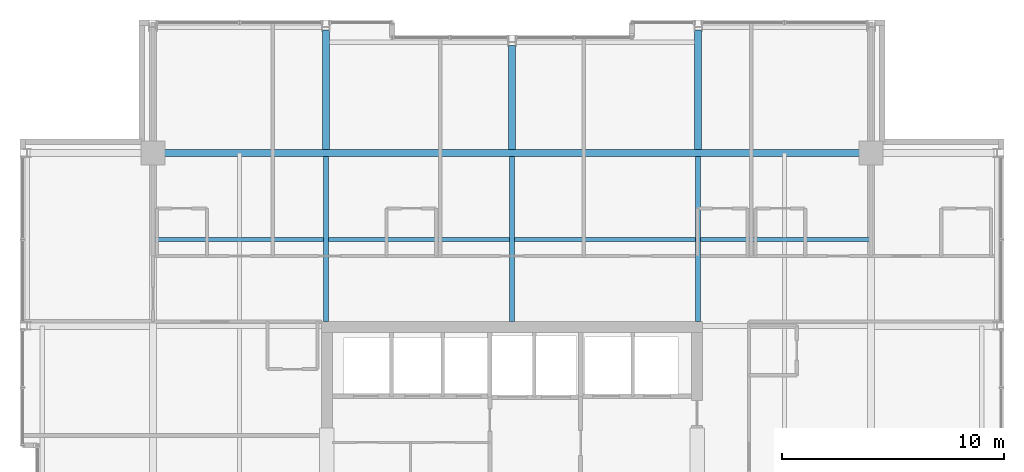
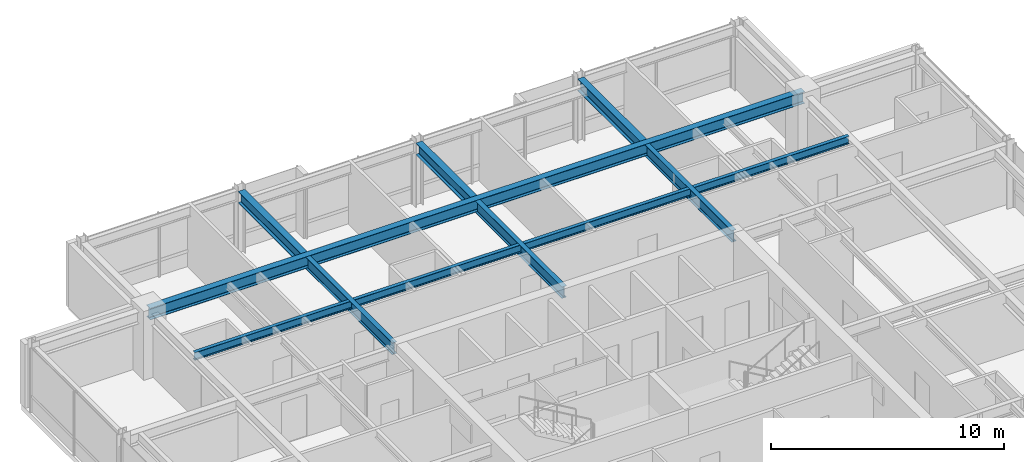
# One storey, part 19 of 32: 8 beams.
"""IFC4 building model written with IfcOpenShell, lengths in metres."""

from ifc_helpers import new_model, si_unit, direction, frame, origin, origin_2d, place, context, subcontext, project, spatial, i_section, extrude, material, material_profile, profile_set, type_object, element, save


model = new_model("IFC4")

# Units and contexts
model_context = context("Model", 3, precision=1e-05, world=origin(), true_north=direction((0.0, 1.0)))
body_context = subcontext(model_context, "Body", "Model", "MODEL_VIEW")
ifc_project = project(units=[si_unit("LENGTHUNIT", "METRE"), si_unit("AREAUNIT", "SQUARE_METRE"), si_unit("VOLUMEUNIT", "CUBIC_METRE"), si_unit("PLANEANGLEUNIT", "RADIAN"), si_unit("MASSUNIT", "GRAM", prefix="KILO")], contexts=[model_context])

# Site, building, storey
site_placement = place(None, origin())
site = spatial("IfcSite", under=ifc_project, at=site_placement, CompositionType="ELEMENT")
building_placement = place(site_placement, origin())
building = spatial("IfcBuilding", under=site, at=building_placement, Name="Drelvath Grand Hotel", CompositionType="ELEMENT")
storey_placement = place(building_placement, frame((0.0, 0.0, 241.10009765625)))
storey = spatial("IfcBuildingStorey", under=building, at=storey_placement, Name="L63", CompositionType="ELEMENT", Elevation=241.10009765625)

# Beams
ifc_material = material(Name="Steel ASTM A992 Gr 50", Category="steel")
ifc_material_profile_1 = material_profile(ifc_material, i_section(OverallWidth=0.177734375, OverallDepth=0.40673828125, WebThickness=0.0078125, FlangeThickness=0.0126953125, FilletRadius=0.014892578125, at=origin_2d()), Name="W16X40")
ifc_profile_set_1 = profile_set([ifc_material_profile_1], Name="Steel ASTM A992 Gr 50")
beam_type_1 = type_object("IfcBeamType", Name="Composite Floor Joist W16X40", PredefinedType="JOIST", material=ifc_profile_set_1)
beam_1_placement = place(storey_placement, frame((-16.199951171875, 39.300048828125, 3.136474609375), z_axis=(1.0, 0.0, 0.0), x_axis=(0.0, 1.0, 0.0)))
element("IfcBeam", 1, at=beam_1_placement, inside=storey, type_object=beam_type_1, Name="L63 Floor Joist J2", PredefinedType="JOIST", context=body_context, shape_type="SweptSolid", body=[
    extrude(i_section(OverallWidth=0.177734375, OverallDepth=0.40673828125, WebThickness=0.0078125, FlangeThickness=0.0126953125, FilletRadius=0.014892578125, at=origin_2d()), origin(), (0.0, 0.0, 1.0), 32.39990234375),
])
ifc_material_profile_2 = material_profile(ifc_material, i_section(OverallWidth=0.323974609375, OverallDepth=0.611083984375, WebThickness=0.0126953125, FlangeThickness=0.01904296875, FilletRadius=0.02197265625, at=origin_2d()), Name="W24X104")
ifc_profile_set_2 = profile_set([ifc_material_profile_2], Name="Steel ASTM A992 Gr 50")
beam_type_2 = type_object("IfcBeamType", Name="Primary Floor Girder W24X104", PredefinedType="BEAM", material=ifc_profile_set_2)
beam_2_placement = place(storey_placement, frame((-16.199951171875, 43.199951171875, 3.034423828125), z_axis=(1.0, 0.0, 0.0), x_axis=(0.0, 1.0, 0.0)))
element("IfcBeam", 2, at=beam_2_placement, inside=storey, type_object=beam_type_2, Name="L63 Mega Ring Girder North", PredefinedType="BEAM", context=body_context, shape_type="SweptSolid", body=[
    extrude(i_section(OverallWidth=0.323974609375, OverallDepth=0.611083984375, WebThickness=0.0126953125, FlangeThickness=0.01904296875, FilletRadius=0.02197265625, at=origin_2d()), origin(), (0.0, 0.0, 1.0), 32.39990234375),
])
beam_3_placement = place(storey_placement, frame((-8.39990234375, 43.362060546875, 3.034423828125), z_axis=(0.0, 1.0, 0.0), x_axis=(-1.0, 0.0, 0.0)))
element("IfcBeam", 3, at=beam_3_placement, inside=storey, type_object=beam_type_2, Name="L63 North Wing Girder 4", PredefinedType="BEAM", context=body_context, shape_type="SweptSolid", body=[
    extrude(i_section(OverallWidth=0.323974609375, OverallDepth=0.611083984375, WebThickness=0.0126953125, FlangeThickness=0.01904296875, FilletRadius=0.02197265625, at=origin_2d()), origin(), (0.0, 0.0, 1.0), 5.3779296875),
])
beam_4_placement = place(storey_placement, frame((0.0, 43.362060546875, 3.034423828125), z_axis=(0.0, 1.0, 0.0), x_axis=(-1.0, 0.0, 0.0)))
element("IfcBeam", 4, at=beam_4_placement, inside=storey, type_object=beam_type_2, Name="L63 North Wing Girder 5", PredefinedType="BEAM", context=body_context, shape_type="SweptSolid", body=[
    extrude(i_section(OverallWidth=0.323974609375, OverallDepth=0.611083984375, WebThickness=0.0126953125, FlangeThickness=0.01904296875, FilletRadius=0.02197265625, at=origin_2d()), origin(), (0.0, 0.0, 1.0), 4.697998046875),
])
beam_5_placement = place(storey_placement, frame((8.39990234375, 43.362060546875, 3.034423828125), z_axis=(0.0, 1.0, 0.0), x_axis=(-1.0, 0.0, 0.0)))
element("IfcBeam", 5, at=beam_5_placement, inside=storey, type_object=beam_type_2, Name="L63 North Wing Girder 6", PredefinedType="BEAM", context=body_context, shape_type="SweptSolid", body=[
    extrude(i_section(OverallWidth=0.323974609375, OverallDepth=0.611083984375, WebThickness=0.0126953125, FlangeThickness=0.01904296875, FilletRadius=0.02197265625, at=origin_2d()), origin(), (0.0, 0.0, 1.0), 5.3779296875),
])
ifc_material_profile_3 = material_profile(ifc_material, i_section(OverallWidth=0.228271484375, OverallDepth=0.607666015625, WebThickness=0.01123046875, FlangeThickness=0.017333984375, FilletRadius=0.02001953125, at=origin_2d()), Name="W24X76")
ifc_profile_set_3 = profile_set([ifc_material_profile_3], Name="Steel ASTM A992 Gr 50")
beam_type_3 = type_object("IfcBeamType", Name="Primary Floor Girder W24X76", PredefinedType="BEAM", material=ifc_profile_set_3)
for number, where, z_axis, x_axis, name in (
    (6, (-8.39990234375, 35.60009765625, 3.0361328125), (0.0, 1.0, 0.0), (-1.0, 0.0, 0.0), "L63 North Core Tie 4"),
    (7, (0.0, 35.60009765625, 3.0361328125), (0.0, 1.0, 0.0), (-1.0, 0.0, 0.0), "L63 North Core Tie 5"),
    (8, (8.39990234375, 35.60009765625, 3.0361328125), (0.0, 1.0, 0.0), (-1.0, 0.0, 0.0), "L63 North Core Tie 6"),
):
    element("IfcBeam", number, at=place(storey_placement, frame(where, z_axis=z_axis, x_axis=x_axis)), inside=storey, type_object=beam_type_3, Name=name, PredefinedType="BEAM", context=body_context, shape_type="SweptSolid", body=[
        extrude(i_section(OverallWidth=0.228271484375, OverallDepth=0.607666015625, WebThickness=0.01123046875, FlangeThickness=0.017333984375, FilletRadius=0.02001953125, at=origin_2d()), origin(), (0.0, 0.0, 1.0), 7.43798828125),
    ])

save(model, "model.ifc")
